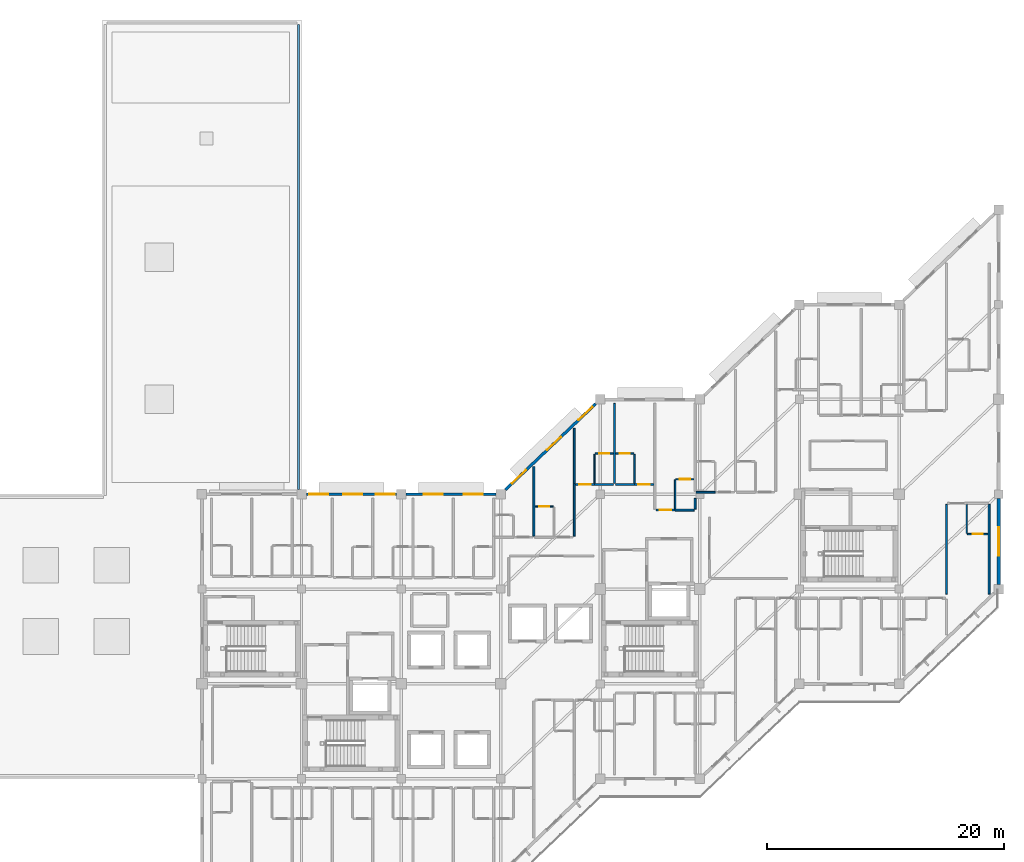
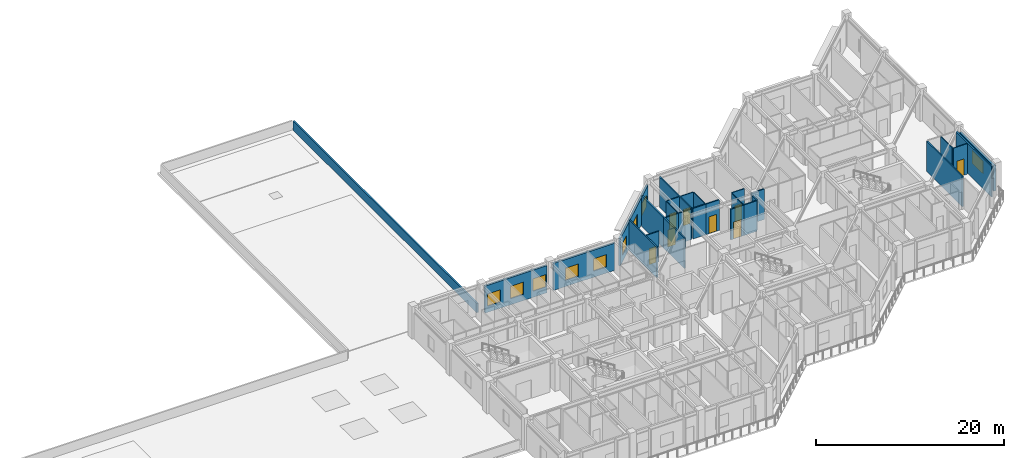
# One storey, part 14 of 22: 28 walls, 9 windows, 8 doors, 17 openings.
"""IFC4 building model written with IfcOpenShell, lengths in metres."""

from ifc_helpers import new_model, si_unit, direction, frame, frame_2d, origin, place, context, subcontext, project, spatial, rectangle, extrude, material, layer, layer_set, type_object, element, fill, save


model = new_model("IFC4")

# Units and contexts
model_context = context("Model", 3, precision=1e-05, world=origin(), true_north=direction((0.0, 1.0)))
body_context = subcontext(model_context, "Body", "Model", "MODEL_VIEW")
ifc_project = project(units=[si_unit("LENGTHUNIT", "METRE"), si_unit("AREAUNIT", "SQUARE_METRE"), si_unit("VOLUMEUNIT", "CUBIC_METRE"), si_unit("PLANEANGLEUNIT", "RADIAN"), si_unit("MASSUNIT", "GRAM", prefix="KILO")], contexts=[model_context])

# Site, building, storey
site_placement = place(None, origin())
site = spatial("IfcSite", under=ifc_project, at=site_placement, CompositionType="ELEMENT")
building_placement = place(site_placement, origin())
building = spatial("IfcBuilding", under=site, at=building_placement, Name="Naruveol Harbour Congress Hotel", CompositionType="ELEMENT")
storey_placement = place(building_placement, frame((0.0, 0.0, 21.0)))
storey = spatial("IfcBuildingStorey", under=building, at=storey_placement, Name="L04", CompositionType="ELEMENT", Elevation=21.0)

# Wall, opening, window
ifc_material_1 = material(Name="Precast concrete C40/50", Category="concrete")
ifc_layer_1 = layer(ifc_material_1, 0.280029296875)
ifc_layer_set_1 = layer_set([ifc_layer_1], Name="Precast concrete C40/50")
wall_type_1 = type_object("IfcWallType", Name="ARCHITECTURAL PRECAST FACADE WALL 280", PredefinedType="SOLIDWALL", material=ifc_layer_set_1)
wall_1_placement = place(storey_placement, frame((184.800048828125, 31.64990234375, 0.0), z_axis=(0.0, 0.0, 1.0), x_axis=(0.0, -1.0, 0.0)))
wall_1 = element("IfcWall", 1, at=wall_1_placement, inside=storey, type_object=wall_type_1, Name="Hotel east gable wall L04 EW-280", PredefinedType="SOLIDWALL", context=body_context, shape_type="SweptSolid", body=[
    extrude(rectangle(XDim=7.25, YDim=0.280029296875, at=frame_2d((3.625, 0.0))), origin(), (0.0, 0.0, 1.0), 3.300048828125),
])
opening_1_placement = place(wall_1_placement, frame((2.425048828125, 0.0, 0.75)))
opening_1 = element("IfcOpeningElement", 2, at=opening_1_placement, cuts=wall_1, Name="Opening W-07", PredefinedType="OPENING", context=body_context, shape_type="SweptSolid", body=[
    extrude(rectangle(XDim=2.39990234375, YDim=1.64990234375, at=frame_2d((1.199951171875, 0.824951171875))), frame((0.0, 0.14990234375, 0.0), z_axis=(0.0, -1.0, 0.0), x_axis=(1.0, 0.0, 0.0)), (0.0, 0.0, 1.0), 0.300048828125),
])
ifc_material_2 = material(Name="Low-E Triple Glazing in Thermal Aluminium", Category="aluminium")
window_type_1 = type_object("IfcWindowType", Name="CORNER SUITE WINDOW 2400X1650", PartitioningType="DOUBLE_PANEL_VERTICAL", PredefinedType="WINDOW", material=ifc_material_2)
window_1_placement = place(opening_1_placement, origin())
window_1 = element("IfcWindow", 3, at=window_1_placement, inside=storey, type_object=window_type_1, Name="Window W-07 #303", OverallHeight=1.64990234375, OverallWidth=2.39990234375, PartitioningType="DOUBLE_PANEL_VERTICAL", PredefinedType="WINDOW", context=body_context, shape_type="SweptSolid", body=[
    extrude(rectangle(XDim=2.39990234375, YDim=1.64990234375, at=frame_2d((1.199951171875, 0.824951171875))), frame((0.0, 0.030029296875, 0.0), z_axis=(0.0, -1.0, 0.0), x_axis=(1.0, 0.0, 0.0)), (0.0, 0.0, 1.0), 0.06005859375),
])
fill(opening_1, window_1)

# Wall, opening, door
ifc_material_3 = material(Name="Moisture-Resistant Gypsum Partition", Category="gypsum")
ifc_layer_2 = layer(ifc_material_3, 0.114990234375)
ifc_layer_set_2 = layer_set([ifc_layer_2], Name="Moisture-Resistant Gypsum Partition")
wall_type_2 = type_object("IfcWallType", Name="BATHROOM MOISTURE PARTITION WALL 115", PredefinedType="PARTITIONING", material=ifc_layer_set_2)
wall_2_placement = place(storey_placement, frame((145.699951171875, 30.969970703125, 0.0), z_axis=(0.0, 0.0, 1.0), x_axis=(1.0, 0.0, 0.0)))
wall_2 = element("IfcWall", 4, at=wall_2_placement, inside=storey, type_object=wall_type_2, Name="Bathroom north wall 0504 PW-115", PredefinedType="PARTITIONING", context=body_context, shape_type="SweptSolid", body=[
    extrude(rectangle(XDim=1.530029296875, YDim=0.114990234375, at=frame_2d((0.76513671875, 0.0))), origin(), (0.0, 0.0, 1.0), 3.965087890625),
])
opening_2_placement = place(wall_2_placement, frame((0.3349609375, 0.0, 0.0)))
opening_2 = element("IfcOpeningElement", 5, at=opening_2_placement, cuts=wall_2, Name="Opening BD-RM0504", PredefinedType="OPENING", context=body_context, shape_type="SweptSolid", body=[
    extrude(rectangle(XDim=0.860107421875, YDim=2.1201171875, at=frame_2d((0.43017578125, 1.06005859375))), frame((0.0, 0.0673828125, 0.0), z_axis=(0.0, -1.0, 0.0), x_axis=(1.0, 0.0, 0.0)), (0.0, 0.0, 1.0), 0.135009765625),
])
ifc_material_4 = material(Name="Timber & Steel Acoustic Leaf", Category="steel")
door_type_1 = type_object("IfcDoorType", Name="GUEST BATHROOM DOOR 860X2120", OperationType="NOTDEFINED", PredefinedType="DOOR", material=ifc_material_4)
door_1_placement = place(opening_2_placement, origin())
door_1 = element("IfcDoor", 6, at=door_1_placement, inside=storey, type_object=door_type_1, Name="Bathroom Door 0504", OperationType="SINGLE_SWING_RIGHT", OverallHeight=2.1201171875, OverallWidth=0.860107421875, PredefinedType="DOOR", context=body_context, shape_type="SweptSolid", body=[
    extrude(rectangle(XDim=0.860107421875, YDim=2.1201171875, at=frame_2d((0.43017578125, 1.06005859375))), frame((0.0, 0.02490234375, 0.0), z_axis=(0.0, -1.0, 0.0), x_axis=(1.0, 0.0, 0.0)), (0.0, 0.0, 1.0), 0.050048828125),
])
fill(opening_2, door_1)

# Wall
wall_3_placement = place(storey_placement, frame((150.7099609375, 32.909912109375, 0.0), z_axis=(0.0, 0.0, 1.0), x_axis=(0.0, 1.0, 0.0)))
element("IfcWall", 7, at=wall_3_placement, inside=storey, type_object=wall_type_2, Name="Bathroom west wall 0505 PW-115", PredefinedType="PARTITIONING", context=body_context, shape_type="SweptSolid", body=[
    extrude(rectangle(XDim=2.4501953125, YDim=0.114990234375, at=frame_2d((1.22509765625, 0.0))), origin(), (0.0, 0.0, 1.0), 3.965087890625),
])

# Wall, opening, door
wall_4_placement = place(storey_placement, frame((150.77001953125, 35.419921875, 0.0), z_axis=(0.0, 0.0, 1.0), x_axis=(1.0, 0.0, 0.0)))
wall_4 = element("IfcWall", 8, at=wall_4_placement, inside=storey, type_object=wall_type_2, Name="Bathroom north wall 0505 PW-115", PredefinedType="PARTITIONING", context=body_context, shape_type="SweptSolid", body=[
    extrude(rectangle(XDim=1.530029296875, YDim=0.114990234375, at=frame_2d((0.76513671875, 0.0))), origin(), (0.0, 0.0, 1.0), 3.965087890625),
])
opening_3_placement = place(wall_4_placement, frame((0.3349609375, 0.0, 0.0)))
opening_3 = element("IfcOpeningElement", 9, at=opening_3_placement, cuts=wall_4, Name="Opening BD-RM0505", PredefinedType="OPENING", context=body_context, shape_type="SweptSolid", body=[
    extrude(rectangle(XDim=0.860107421875, YDim=2.1201171875, at=frame_2d((0.43017578125, 1.06005859375))), frame((0.0, 0.0673828125, 0.0), z_axis=(0.0, -1.0, 0.0), x_axis=(1.0, 0.0, 0.0)), (0.0, 0.0, 1.0), 0.135009765625),
])
door_2_placement = place(opening_3_placement, origin())
door_2 = element("IfcDoor", 10, at=door_2_placement, inside=storey, type_object=door_type_1, Name="Bathroom Door 0505", OperationType="SINGLE_SWING_RIGHT", OverallHeight=2.1201171875, OverallWidth=0.860107421875, PredefinedType="DOOR", context=body_context, shape_type="SweptSolid", body=[
    extrude(rectangle(XDim=0.860107421875, YDim=2.1201171875, at=frame_2d((0.43017578125, 1.06005859375))), frame((0.0, 0.02490234375, 0.0), z_axis=(0.0, -1.0, 0.0), x_axis=(1.0, 0.0, 0.0)), (0.0, 0.0, 1.0), 0.050048828125),
])
fill(opening_3, door_2)

# Wall
wall_5_placement = place(storey_placement, frame((154.090087890625, 32.909912109375, 0.0), z_axis=(0.0, 0.0, 1.0), x_axis=(0.0, 1.0, 0.0)))
element("IfcWall", 11, at=wall_5_placement, inside=storey, type_object=wall_type_2, Name="Bathroom east wall 0506 PW-115", PredefinedType="PARTITIONING", context=body_context, shape_type="SweptSolid", body=[
    extrude(rectangle(XDim=2.4501953125, YDim=0.114990234375, at=frame_2d((1.22509765625, 0.0))), origin(), (0.0, 0.0, 1.0), 3.965087890625),
])

# Wall, opening, door
wall_6_placement = place(storey_placement, frame((152.5, 35.419921875, 0.0), z_axis=(0.0, 0.0, 1.0), x_axis=(1.0, 0.0, 0.0)))
wall_6 = element("IfcWall", 12, at=wall_6_placement, inside=storey, type_object=wall_type_2, Name="Bathroom north wall 0506 PW-115", PredefinedType="PARTITIONING", context=body_context, shape_type="SweptSolid", body=[
    extrude(rectangle(XDim=1.530029296875, YDim=0.114990234375, at=frame_2d((0.76513671875, 0.0))), origin(), (0.0, 0.0, 1.0), 3.965087890625),
])
opening_4_placement = place(wall_6_placement, frame((0.3349609375, 0.0, 0.0)))
opening_4 = element("IfcOpeningElement", 13, at=opening_4_placement, cuts=wall_6, Name="Opening BD-RM0506", PredefinedType="OPENING", context=body_context, shape_type="SweptSolid", body=[
    extrude(rectangle(XDim=0.860107421875, YDim=2.1201171875, at=frame_2d((0.43017578125, 1.06005859375))), frame((0.0, 0.0673828125, 0.0), z_axis=(0.0, -1.0, 0.0), x_axis=(1.0, 0.0, 0.0)), (0.0, 0.0, 1.0), 0.135009765625),
])
door_3_placement = place(opening_4_placement, origin())
door_3 = element("IfcDoor", 14, at=door_3_placement, inside=storey, type_object=door_type_1, Name="Bathroom Door 0506", OperationType="SINGLE_SWING_RIGHT", OverallHeight=2.1201171875, OverallWidth=0.860107421875, PredefinedType="DOOR", context=body_context, shape_type="SweptSolid", body=[
    extrude(rectangle(XDim=0.860107421875, YDim=2.1201171875, at=frame_2d((0.43017578125, 1.06005859375))), frame((0.0, 0.02490234375, 0.0), z_axis=(0.0, -1.0, 0.0), x_axis=(1.0, 0.0, 0.0)), (0.0, 0.0, 1.0), 0.050048828125),
])
fill(opening_4, door_3)

# Wall
wall_7_placement = place(storey_placement, frame((157.510009765625, 30.75, 0.0), z_axis=(0.0, 0.0, 1.0), x_axis=(0.0, 1.0, 0.0)))
element("IfcWall", 15, at=wall_7_placement, inside=storey, type_object=wall_type_2, Name="Bathroom west wall 0507 PW-115", PredefinedType="PARTITIONING", context=body_context, shape_type="SweptSolid", body=[
    extrude(rectangle(XDim=2.449951171875, YDim=0.114990234375, at=frame_2d((1.22509765625, 0.0))), origin(), (0.0, 0.0, 1.0), 3.965087890625),
])

# Wall, opening, door
wall_8_placement = place(storey_placement, frame((157.570068359375, 33.260009765625, 0.0), z_axis=(0.0, 0.0, 1.0), x_axis=(1.0, 0.0, 0.0)))
wall_8 = element("IfcWall", 16, at=wall_8_placement, inside=storey, type_object=wall_type_2, Name="Bathroom north wall 0507 PW-115", PredefinedType="PARTITIONING", context=body_context, shape_type="SweptSolid", body=[
    extrude(rectangle(XDim=1.530029296875, YDim=0.114990234375, at=frame_2d((0.76513671875, 0.0))), origin(), (0.0, 0.0, 1.0), 3.965087890625),
])
opening_5_placement = place(wall_8_placement, frame((0.3349609375, 0.0, 0.0)))
opening_5 = element("IfcOpeningElement", 17, at=opening_5_placement, cuts=wall_8, Name="Opening BD-RM0507", PredefinedType="OPENING", context=body_context, shape_type="SweptSolid", body=[
    extrude(rectangle(XDim=0.860107421875, YDim=2.1201171875, at=frame_2d((0.43017578125, 1.06005859375))), frame((0.0, 0.0673828125, 0.0), z_axis=(0.0, -1.0, 0.0), x_axis=(1.0, 0.0, 0.0)), (0.0, 0.0, 1.0), 0.135009765625),
])
door_4_placement = place(opening_5_placement, origin())
door_4 = element("IfcDoor", 18, at=door_4_placement, inside=storey, type_object=door_type_1, Name="Bathroom Door 0507", OperationType="SINGLE_SWING_RIGHT", OverallHeight=2.1201171875, OverallWidth=0.860107421875, PredefinedType="DOOR", context=body_context, shape_type="SweptSolid", body=[
    extrude(rectangle(XDim=0.860107421875, YDim=2.1201171875, at=frame_2d((0.43017578125, 1.06005859375))), frame((0.0, 0.02490234375, 0.0), z_axis=(0.0, -1.0, 0.0), x_axis=(1.0, 0.0, 0.0)), (0.0, 0.0, 1.0), 0.050048828125),
])
fill(opening_5, door_4)

# Wall
wall_9_placement = place(storey_placement, frame((182.110107421875, 28.68994140625, 0.0), z_axis=(0.0, 0.0, 1.0), x_axis=(0.0, 1.0, 0.0)))
element("IfcWall", 19, at=wall_9_placement, inside=storey, type_object=wall_type_2, Name="Bathroom west wall 0595 PW-115", PredefinedType="PARTITIONING", context=body_context, shape_type="SweptSolid", body=[
    extrude(rectangle(XDim=2.449951171875, YDim=0.114990234375, at=frame_2d((1.22509765625, 0.0))), origin(), (0.0, 0.0, 1.0), 3.965087890625),
])

# Wall, opening, door
wall_10_placement = place(storey_placement, frame((182.169921875, 28.6298828125, 0.0), z_axis=(0.0, 0.0, 1.0), x_axis=(1.0, 0.0, 0.0)))
wall_10 = element("IfcWall", 20, at=wall_10_placement, inside=storey, type_object=wall_type_2, Name="Bathroom south wall 0595 PW-115", PredefinedType="PARTITIONING", context=body_context, shape_type="SweptSolid", body=[
    extrude(rectangle(XDim=1.72998046875, YDim=0.114990234375, at=frame_2d((0.864990234375, 0.0))), origin(), (0.0, 0.0, 1.0), 3.965087890625),
])
opening_6_placement = place(wall_10_placement, frame((0.43505859375, 0.0, 0.0)))
opening_6 = element("IfcOpeningElement", 21, at=opening_6_placement, cuts=wall_10, Name="Opening BD-RM0595", PredefinedType="OPENING", context=body_context, shape_type="SweptSolid", body=[
    extrude(rectangle(XDim=0.860107421875, YDim=2.1201171875, at=frame_2d((0.43017578125, 1.06005859375))), frame((0.0, 0.0673828125, 0.0), z_axis=(0.0, -1.0, 0.0), x_axis=(1.0, 0.0, 0.0)), (0.0, 0.0, 1.0), 0.135009765625),
])
door_5_placement = place(opening_6_placement, origin())
door_5 = element("IfcDoor", 22, at=door_5_placement, inside=storey, type_object=door_type_1, Name="Bathroom Door 0595", OperationType="SINGLE_SWING_RIGHT", OverallHeight=2.1201171875, OverallWidth=0.860107421875, PredefinedType="DOOR", context=body_context, shape_type="SweptSolid", body=[
    extrude(rectangle(XDim=0.860107421875, YDim=2.1201171875, at=frame_2d((0.43017578125, 1.06005859375))), frame((0.0, 0.02490234375, 0.0), z_axis=(0.0, -1.0, 0.0), x_axis=(1.0, 0.0, 0.0)), (0.0, 0.0, 1.0), 0.050048828125),
])
fill(opening_6, door_5)

# Walls
ifc_material_5 = material(Name="Autoclaved Aerated Concrete Block", Category="concrete")
ifc_layer_3 = layer(ifc_material_5, 0.159912109375)
ifc_layer_set_3 = layer_set([ifc_layer_3], Name="Autoclaved Aerated Concrete Block")
wall_type_3 = type_object("IfcWallType", Name="HOTEL PARTY AND CORRIDOR WALL 160 EI60", PredefinedType="PARTITIONING", material=ifc_layer_set_3)
wall_11_placement = place(storey_placement, frame((145.60009765625, 28.4599609375, 0.0), z_axis=(0.0, 0.0, 1.0), x_axis=(0.0, 1.0, 0.0)))
element("IfcWall", 23, at=wall_11_placement, inside=storey, type_object=wall_type_3, Name="Hotel party wall 0504 PW-160", PredefinedType="PARTITIONING", context=body_context, shape_type="SweptSolid", body=[
    extrude(rectangle(XDim=5.8701171875, YDim=0.159912109375, at=frame_2d((2.93505859375, 0.0))), origin(), (0.0, 0.0, 1.0), 3.965087890625),
])
wall_12_placement = place(storey_placement, frame((149.0, 28.4599609375, 0.0), z_axis=(0.0, 0.0, 1.0), x_axis=(0.0, 1.0, 0.0)))
element("IfcWall", 24, at=wall_12_placement, inside=storey, type_object=wall_type_3, Name="Hotel end party wall 0504 PW-160", PredefinedType="PARTITIONING", context=body_context, shape_type="SweptSolid", body=[
    extrude(rectangle(XDim=4.43994140625, YDim=0.159912109375, at=frame_2d((2.219970703125, 0.0))), origin(), (0.0, 0.0, 1.0), 3.965087890625),
])

# Wall, opening, door
wall_13_placement = place(storey_placement, frame((149.090087890625, 32.820068359375, 0.0), z_axis=(0.0, 0.0, 1.0), x_axis=(1.0, 0.0, 0.0)))
wall_13 = element("IfcWall", 25, at=wall_13_placement, inside=storey, type_object=wall_type_3, Name="Corridor entry wall 0505 PW-160", PredefinedType="PARTITIONING", context=body_context, shape_type="SweptSolid", body=[
    extrude(rectangle(XDim=1.619873046875, YDim=0.159912109375, at=frame_2d((0.81005859375, 0.0))), origin(), (0.0, 0.0, 1.0), 3.965087890625),
])
opening_7_placement = place(wall_13_placement, frame((0.330078125, 0.0, 0.0)))
opening_7 = element("IfcOpeningElement", 26, at=opening_7_placement, cuts=wall_13, Name="Opening FD-RM0505", PredefinedType="OPENING", context=body_context, shape_type="SweptSolid", body=[
    extrude(rectangle(XDim=0.9599609375, YDim=2.199951171875, at=frame_2d((0.47998046875, 1.10009765625))), frame((0.0, 0.08984375, 0.0), z_axis=(0.0, -1.0, 0.0), x_axis=(1.0, 0.0, 0.0)), (0.0, 0.0, 1.0), 0.179931640625),
])
ifc_material_6 = material(Name="Timber & Steel Acoustic Leaf", Category="steel")
door_type_2 = type_object("IfcDoorType", Name="GUEST ROOM ENTRANCE FIRE DOOR 960X2200", OperationType="NOTDEFINED", PredefinedType="DOOR", material=ifc_material_6)
door_6_placement = place(opening_7_placement, origin())
door_6 = element("IfcDoor", 27, at=door_6_placement, inside=storey, type_object=door_type_2, Name="Hotel Room Door 0505", OperationType="SINGLE_SWING_LEFT", OverallHeight=2.199951171875, OverallWidth=0.9599609375, PredefinedType="DOOR", context=body_context, shape_type="SweptSolid", body=[
    extrude(rectangle(XDim=0.9599609375, YDim=2.199951171875, at=frame_2d((0.47998046875, 1.10009765625))), frame((0.0, 0.02490234375, 0.0), z_axis=(0.0, -1.0, 0.0), x_axis=(1.0, 0.0, 0.0)), (0.0, 0.0, 1.0), 0.050048828125),
])
fill(opening_7, door_6)

# Walls
wall_14_placement = place(storey_placement, frame((150.719970703125, 32.820068359375, 0.0), z_axis=(0.0, 0.0, 1.0), x_axis=(1.0, 0.0, 0.0)))
element("IfcWall", 28, at=wall_14_placement, inside=storey, type_object=wall_type_3, Name="Corridor wall 0505B PW-160", PredefinedType="PARTITIONING", context=body_context, shape_type="SweptSolid", body=[
    extrude(rectangle(XDim=1.590087890625, YDim=0.159912109375, at=frame_2d((0.794921875, 0.0))), origin(), (0.0, 0.0, 1.0), 3.965087890625),
])
wall_15_placement = place(storey_placement, frame((149.0, 32.909912109375, 0.0), z_axis=(0.0, 0.0, 1.0), x_axis=(0.0, 1.0, 0.0)))
element("IfcWall", 29, at=wall_15_placement, inside=storey, type_object=wall_type_3, Name="Hotel party wall 0505 PW-160", PredefinedType="PARTITIONING", context=body_context, shape_type="SweptSolid", body=[
    extrude(rectangle(XDim=4.650146484375, YDim=0.159912109375, at=frame_2d((2.3251953125, 0.0))), origin(), (0.0, 0.0, 1.0), 3.965087890625),
])
wall_16_placement = place(storey_placement, frame((152.489990234375, 32.820068359375, 0.0), z_axis=(0.0, 0.0, 1.0), x_axis=(1.0, 0.0, 0.0)))
element("IfcWall", 30, at=wall_16_placement, inside=storey, type_object=wall_type_3, Name="Corridor wall 0506B PW-160", PredefinedType="PARTITIONING", context=body_context, shape_type="SweptSolid", body=[
    extrude(rectangle(XDim=1.590087890625, YDim=0.159912109375, at=frame_2d((0.794921875, 0.0))), origin(), (0.0, 0.0, 1.0), 3.965087890625),
])

# Wall, opening, door
wall_17_placement = place(storey_placement, frame((154.090087890625, 32.820068359375, 0.0), z_axis=(0.0, 0.0, 1.0), x_axis=(1.0, 0.0, 0.0)))
wall_17 = element("IfcWall", 31, at=wall_17_placement, inside=storey, type_object=wall_type_3, Name="Corridor entry wall 0506 PW-160", PredefinedType="PARTITIONING", context=body_context, shape_type="SweptSolid", body=[
    extrude(rectangle(XDim=1.619873046875, YDim=0.159912109375, at=frame_2d((0.81005859375, 0.0))), origin(), (0.0, 0.0, 1.0), 3.965087890625),
])
opening_8_placement = place(wall_17_placement, frame((0.330078125, 0.0, 0.0)))
opening_8 = element("IfcOpeningElement", 32, at=opening_8_placement, cuts=wall_17, Name="Opening FD-RM0506", PredefinedType="OPENING", context=body_context, shape_type="SweptSolid", body=[
    extrude(rectangle(XDim=0.9599609375, YDim=2.199951171875, at=frame_2d((0.47998046875, 1.10009765625))), frame((0.0, 0.08984375, 0.0), z_axis=(0.0, -1.0, 0.0), x_axis=(1.0, 0.0, 0.0)), (0.0, 0.0, 1.0), 0.179931640625),
])
door_7_placement = place(opening_8_placement, origin())
door_7 = element("IfcDoor", 33, at=door_7_placement, inside=storey, type_object=door_type_2, Name="Hotel Room Door 0506", OperationType="SINGLE_SWING_LEFT", OverallHeight=2.199951171875, OverallWidth=0.9599609375, PredefinedType="DOOR", context=body_context, shape_type="SweptSolid", body=[
    extrude(rectangle(XDim=0.9599609375, YDim=2.199951171875, at=frame_2d((0.47998046875, 1.10009765625))), frame((0.0, 0.02490234375, 0.0), z_axis=(0.0, -1.0, 0.0), x_axis=(1.0, 0.0, 0.0)), (0.0, 0.0, 1.0), 0.050048828125),
])
fill(opening_8, door_7)

# Wall
wall_18_placement = place(storey_placement, frame((152.39990234375, 32.909912109375, 0.0), z_axis=(0.0, 0.0, 1.0), x_axis=(0.0, 1.0, 0.0)))
element("IfcWall", 34, at=wall_18_placement, inside=storey, type_object=wall_type_3, Name="Hotel party wall 0506 PW-160", PredefinedType="PARTITIONING", context=body_context, shape_type="SweptSolid", body=[
    extrude(rectangle(XDim=6.75, YDim=0.159912109375, at=frame_2d((3.375, 0.0))), origin(), (0.0, 0.0, 1.0), 3.965087890625),
])

# Wall, opening, door
wall_19_placement = place(storey_placement, frame((155.889892578125, 30.659912109375, 0.0), z_axis=(0.0, 0.0, 1.0), x_axis=(1.0, 0.0, 0.0)))
wall_19 = element("IfcWall", 35, at=wall_19_placement, inside=storey, type_object=wall_type_3, Name="Corridor entry wall 0507 PW-160", PredefinedType="PARTITIONING", context=body_context, shape_type="SweptSolid", body=[
    extrude(rectangle(XDim=1.6201171875, YDim=0.159912109375, at=frame_2d((0.81005859375, 0.0))), origin(), (0.0, 0.0, 1.0), 3.965087890625),
])
opening_9_placement = place(wall_19_placement, frame((0.330078125, 0.0, 0.0)))
opening_9 = element("IfcOpeningElement", 36, at=opening_9_placement, cuts=wall_19, Name="Opening FD-RM0507", PredefinedType="OPENING", context=body_context, shape_type="SweptSolid", body=[
    extrude(rectangle(XDim=0.9599609375, YDim=2.199951171875, at=frame_2d((0.47998046875, 1.10009765625))), frame((0.0, 0.08984375, 0.0), z_axis=(0.0, -1.0, 0.0), x_axis=(1.0, 0.0, 0.0)), (0.0, 0.0, 1.0), 0.179931640625),
])
door_8_placement = place(opening_9_placement, origin())
door_8 = element("IfcDoor", 37, at=door_8_placement, inside=storey, type_object=door_type_2, Name="Hotel Room Door 0507", OperationType="SINGLE_SWING_LEFT", OverallHeight=2.199951171875, OverallWidth=0.9599609375, PredefinedType="DOOR", context=body_context, shape_type="SweptSolid", body=[
    extrude(rectangle(XDim=0.9599609375, YDim=2.199951171875, at=frame_2d((0.47998046875, 1.10009765625))), frame((0.0, 0.02490234375, 0.0), z_axis=(0.0, -1.0, 0.0), x_axis=(1.0, 0.0, 0.0)), (0.0, 0.0, 1.0), 0.050048828125),
])
fill(opening_9, door_8)

# Walls
wall_20_placement = place(storey_placement, frame((157.52001953125, 30.659912109375, 0.0), z_axis=(0.0, 0.0, 1.0), x_axis=(1.0, 0.0, 0.0)))
element("IfcWall", 38, at=wall_20_placement, inside=storey, type_object=wall_type_3, Name="Corridor wall 0507B PW-160", PredefinedType="PARTITIONING", context=body_context, shape_type="SweptSolid", body=[
    extrude(rectangle(XDim=1.590087890625, YDim=0.159912109375, at=frame_2d((0.794921875, 0.0))), origin(), (0.0, 0.0, 1.0), 3.965087890625),
])
wall_21_placement = place(storey_placement, frame((159.199951171875, 30.75, 0.0), z_axis=(0.0, 0.0, 1.0), x_axis=(0.0, 1.0, 0.0)))
element("IfcWall", 39, at=wall_21_placement, inside=storey, type_object=wall_type_3, Name="Hotel end party wall 0507 PW-160", PredefinedType="PARTITIONING", context=body_context, shape_type="SweptSolid", body=[
    extrude(rectangle(XDim=0.889892578125, YDim=0.159912109375, at=frame_2d((0.44482421875, 0.0))), origin(), (0.0, 0.0, 1.0), 3.965087890625),
])
wall_22_placement = place(storey_placement, frame((159.2900390625, 32.169921875, 0.0), z_axis=(0.0, 0.0, 1.0), x_axis=(1.0, 0.0, 0.0)))
element("IfcWall", 40, at=wall_22_placement, inside=storey, type_object=wall_type_3, Name="Corridor wall 0508B PW-160", PredefinedType="PARTITIONING", context=body_context, shape_type="SweptSolid", body=[
    extrude(rectangle(XDim=1.58984375, YDim=0.159912109375, at=frame_2d((0.794921875, 0.0))), origin(), (0.0, 0.0, 1.0), 3.965087890625),
])
for number, where, z_axis, x_axis, name in (
    (41, (180.39990234375, 23.580078125, 0.0), (0.0, 0.0, 1.0), (0.0, 1.0, 0.0), "Hotel party wall 0595 PW-160"),
    (42, (184.0, 23.580078125, 0.0), (0.0, 0.0, 1.0), (0.0, 1.0, 0.0), "Hotel end party wall 0595 PW-160"),
):
    element("IfcWall", number, at=place(storey_placement, frame(where, z_axis=z_axis, x_axis=x_axis)), inside=storey, type_object=wall_type_3, Name=name, PredefinedType="PARTITIONING", context=body_context, shape_type="SweptSolid", body=[
        extrude(rectangle(XDim=7.559814453125, YDim=0.159912109375, at=frame_2d((3.77978515625, 0.0))), origin(), (0.0, 0.0, 1.0), 3.965087890625),
    ])

# Wall, openings, windows
ifc_material_7 = material(Name="Concrete C40/50", Category="concrete")
ifc_layer_4 = layer(ifc_material_7, 0.239990234375)
ifc_layer_set_4 = layer_set([ifc_layer_4], Name="Concrete C40/50")
wall_type_4 = type_object("IfcWallType", Name="INSULATED HOTEL SPANDREL WALL 240", PredefinedType="SOLIDWALL", material=ifc_layer_set_4)
wall_23_placement = place(storey_placement, frame((126.39990234375, 32.0, 0.0), z_axis=(0.0, 0.0, 1.0), x_axis=(1.0, 0.0, 0.0)))
wall_23 = element("IfcWall", 43, at=wall_23_placement, inside=storey, type_object=wall_type_4, Name="Hotel north bay wall L04 EW-240", PredefinedType="SOLIDWALL", context=body_context, shape_type="SweptSolid", body=[
    extrude(rectangle(XDim=7.60009765625, YDim=0.239990234375, at=frame_2d((3.800048828125, 0.0))), origin(), (0.0, 0.0, 1.0), 3.530029296875),
])
opening_10_placement = place(wall_23_placement, frame((0.25, 0.0, 0.800048828125)))
opening_10 = element("IfcOpeningElement", 44, at=opening_10_placement, cuts=wall_23, Name="Opening W-03", PredefinedType="OPENING", context=body_context, shape_type="SweptSolid", body=[
    extrude(rectangle(XDim=1.60009765625, YDim=1.60009765625, at=frame_2d((0.800048828125, 0.800048828125))), frame((0.0, 0.1298828125, 0.0), z_axis=(0.0, -1.0, 0.0), x_axis=(1.0, 0.0, 0.0)), (0.0, 0.0, 1.0), 0.260009765625),
])
opening_11_placement = place(wall_23_placement, frame((3.10009765625, 0.0, 0.800048828125)))
opening_11 = element("IfcOpeningElement", 45, at=opening_11_placement, cuts=wall_23, Name="Opening W-03", PredefinedType="OPENING", context=body_context, shape_type="SweptSolid", body=[
    extrude(rectangle(XDim=1.60009765625, YDim=1.60009765625, at=frame_2d((0.800048828125, 0.800048828125))), frame((0.0, 0.1298828125, 0.0), z_axis=(0.0, -1.0, 0.0), x_axis=(1.0, 0.0, 0.0)), (0.0, 0.0, 1.0), 0.260009765625),
])
opening_12_placement = place(wall_23_placement, frame((5.85009765625, 0.0, 0.800048828125)))
opening_12 = element("IfcOpeningElement", 46, at=opening_12_placement, cuts=wall_23, Name="Opening W-03", PredefinedType="OPENING", context=body_context, shape_type="SweptSolid", body=[
    extrude(rectangle(XDim=1.60009765625, YDim=1.60009765625, at=frame_2d((0.800048828125, 0.800048828125))), frame((0.0, 0.1298828125, 0.0), z_axis=(0.0, -1.0, 0.0), x_axis=(1.0, 0.0, 0.0)), (0.0, 0.0, 1.0), 0.260009765625),
])
ifc_material_8 = material(Name="Low-E Triple Glazing in Thermal Aluminium", Category="aluminium")
window_type_2 = type_object("IfcWindowType", Name="DELUXE GUEST WINDOW 1600X1600", PartitioningType="SINGLE_PANEL", PredefinedType="WINDOW", material=ifc_material_8)
window_2_placement = place(opening_10_placement, origin())
window_2 = element("IfcWindow", 47, at=window_2_placement, inside=storey, type_object=window_type_2, Name="Window W-03 #275", OverallHeight=1.60009765625, OverallWidth=1.60009765625, PartitioningType="SINGLE_PANEL", PredefinedType="WINDOW", context=body_context, shape_type="SweptSolid", body=[
    extrude(rectangle(XDim=1.60009765625, YDim=1.60009765625, at=frame_2d((0.800048828125, 0.800048828125))), frame((0.0, 0.030029296875, 0.0), z_axis=(0.0, -1.0, 0.0), x_axis=(1.0, 0.0, 0.0)), (0.0, 0.0, 1.0), 0.06005859375),
])
fill(opening_10, window_2)
window_3_placement = place(opening_11_placement, origin())
window_3 = element("IfcWindow", 48, at=window_3_placement, inside=storey, type_object=window_type_2, Name="Window W-03 #276", OverallHeight=1.60009765625, OverallWidth=1.60009765625, PartitioningType="SINGLE_PANEL", PredefinedType="WINDOW", context=body_context, shape_type="SweptSolid", body=[
    extrude(rectangle(XDim=1.60009765625, YDim=1.60009765625, at=frame_2d((0.800048828125, 0.800048828125))), frame((0.0, 0.030029296875, 0.0), z_axis=(0.0, -1.0, 0.0), x_axis=(1.0, 0.0, 0.0)), (0.0, 0.0, 1.0), 0.06005859375),
])
fill(opening_11, window_3)
window_4_placement = place(opening_12_placement, origin())
window_4 = element("IfcWindow", 49, at=window_4_placement, inside=storey, type_object=window_type_2, Name="Window W-03 #277", OverallHeight=1.60009765625, OverallWidth=1.60009765625, PartitioningType="SINGLE_PANEL", PredefinedType="WINDOW", context=body_context, shape_type="SweptSolid", body=[
    extrude(rectangle(XDim=1.60009765625, YDim=1.60009765625, at=frame_2d((0.800048828125, 0.800048828125))), frame((0.0, 0.030029296875, 0.0), z_axis=(0.0, -1.0, 0.0), x_axis=(1.0, 0.0, 0.0)), (0.0, 0.0, 1.0), 0.06005859375),
])
fill(opening_12, window_4)

wall_24_placement = place(storey_placement, frame((134.800048828125, 32.0, 0.0), z_axis=(0.0, 0.0, 1.0), x_axis=(1.0, 0.0, 0.0)))
wall_24 = element("IfcWall", 50, at=wall_24_placement, inside=storey, type_object=wall_type_4, Name="Hotel north bay wall L04 EW-240", PredefinedType="SOLIDWALL", context=body_context, shape_type="SweptSolid", body=[
    extrude(rectangle(XDim=7.599853515625, YDim=0.239990234375, at=frame_2d((3.7998046875, 0.0))), origin(), (0.0, 0.0, 1.0), 3.530029296875),
])
opening_13_placement = place(wall_24_placement, frame((1.5, 0.0, 0.800048828125)))
opening_13 = element("IfcOpeningElement", 51, at=opening_13_placement, cuts=wall_24, Name="Opening W-03", PredefinedType="OPENING", context=body_context, shape_type="SweptSolid", body=[
    extrude(rectangle(XDim=1.60009765625, YDim=1.60009765625, at=frame_2d((0.800048828125, 0.800048828125))), frame((0.0, 0.1298828125, 0.0), z_axis=(0.0, -1.0, 0.0), x_axis=(1.0, 0.0, 0.0)), (0.0, 0.0, 1.0), 0.260009765625),
])
opening_14_placement = place(wall_24_placement, frame((4.89990234375, 0.0, 0.800048828125)))
opening_14 = element("IfcOpeningElement", 52, at=opening_14_placement, cuts=wall_24, Name="Opening W-03", PredefinedType="OPENING", context=body_context, shape_type="SweptSolid", body=[
    extrude(rectangle(XDim=1.60009765625, YDim=1.60009765625, at=frame_2d((0.800048828125, 0.800048828125))), frame((0.0, 0.1298828125, 0.0), z_axis=(0.0, -1.0, 0.0), x_axis=(1.0, 0.0, 0.0)), (0.0, 0.0, 1.0), 0.260009765625),
])
window_5_placement = place(opening_13_placement, origin())
window_5 = element("IfcWindow", 53, at=window_5_placement, inside=storey, type_object=window_type_2, Name="Window W-03 #279", OverallHeight=1.60009765625, OverallWidth=1.60009765625, PartitioningType="SINGLE_PANEL", PredefinedType="WINDOW", context=body_context, shape_type="SweptSolid", body=[
    extrude(rectangle(XDim=1.60009765625, YDim=1.60009765625, at=frame_2d((0.800048828125, 0.800048828125))), frame((0.0, 0.030029296875, 0.0), z_axis=(0.0, -1.0, 0.0), x_axis=(1.0, 0.0, 0.0)), (0.0, 0.0, 1.0), 0.06005859375),
])
fill(opening_13, window_5)
window_6_placement = place(opening_14_placement, origin())
window_6 = element("IfcWindow", 54, at=window_6_placement, inside=storey, type_object=window_type_2, Name="Window W-03 #280", OverallHeight=1.60009765625, OverallWidth=1.60009765625, PartitioningType="SINGLE_PANEL", PredefinedType="WINDOW", context=body_context, shape_type="SweptSolid", body=[
    extrude(rectangle(XDim=1.60009765625, YDim=1.60009765625, at=frame_2d((0.800048828125, 0.800048828125))), frame((0.0, 0.030029296875, 0.0), z_axis=(0.0, -1.0, 0.0), x_axis=(1.0, 0.0, 0.0)), (0.0, 0.0, 1.0), 0.06005859375),
])
fill(opening_14, window_6)

wall_25_placement = place(storey_placement, frame((143.199951171875, 32.381103515625, 0.0), z_axis=(0.0, 0.0, 1.0), x_axis=(0.724156739794, 0.689635422677, 0.0)))
wall_25 = element("IfcWall", 55, at=wall_25_placement, inside=storey, type_object=wall_type_4, Name="Hotel north bay wall L04 EW-240", PredefinedType="SOLIDWALL", context=body_context, shape_type="SweptSolid", body=[
    extrude(rectangle(XDim=10.4951171875, YDim=0.239990234375, at=frame_2d((5.24755859375, 0.0))), origin(), (0.0, 0.0, 1.0), 3.530029296875),
])
opening_15_placement = place(wall_25_placement, frame((0.7880859375, 0.0, 0.800048828125)))
opening_15 = element("IfcOpeningElement", 56, at=opening_15_placement, cuts=wall_25, Name="Opening W-03", PredefinedType="OPENING", context=body_context, shape_type="SweptSolid", body=[
    extrude(rectangle(XDim=1.60009765625, YDim=1.60009765625, at=frame_2d((0.800048828125, 0.800048828125))), frame((0.0, 0.1298828125, 0.0), z_axis=(0.0, -1.0, 0.0), x_axis=(1.0, 0.0, 0.0)), (0.0, 0.0, 1.0), 0.260009765625),
])
opening_16_placement = place(wall_25_placement, frame((4.862060546875, 0.0, 0.800048828125)))
opening_16 = element("IfcOpeningElement", 57, at=opening_16_placement, cuts=wall_25, Name="Opening W-03", PredefinedType="OPENING", context=body_context, shape_type="SweptSolid", body=[
    extrude(rectangle(XDim=1.60009765625, YDim=1.60009765625, at=frame_2d((0.800048828125, 0.800048828125))), frame((0.0, 0.1298828125, 0.0), z_axis=(0.0, -1.0, 0.0), x_axis=(1.0, 0.0, 0.0)), (0.0, 0.0, 1.0), 0.260009765625),
])
opening_17_placement = place(wall_25_placement, frame((8.52099609375, 0.0, 0.800048828125)))
opening_17 = element("IfcOpeningElement", 58, at=opening_17_placement, cuts=wall_25, Name="Opening W-03", PredefinedType="OPENING", context=body_context, shape_type="SweptSolid", body=[
    extrude(rectangle(XDim=1.60009765625, YDim=1.60009765625, at=frame_2d((0.800048828125, 0.800048828125))), frame((0.0, 0.1298828125, 0.0), z_axis=(0.0, -1.0, 0.0), x_axis=(1.0, 0.0, 0.0)), (0.0, 0.0, 1.0), 0.260009765625),
])
window_7_placement = place(opening_15_placement, origin())
window_7 = element("IfcWindow", 59, at=window_7_placement, inside=storey, type_object=window_type_2, Name="Window W-03 #283", OverallHeight=1.60009765625, OverallWidth=1.60009765625, PartitioningType="SINGLE_PANEL", PredefinedType="WINDOW", context=body_context, shape_type="SweptSolid", body=[
    extrude(rectangle(XDim=1.60009765625, YDim=1.60009765625, at=frame_2d((0.800048828125, 0.800048828125))), frame((0.0, 0.030029296875, 0.0), z_axis=(0.0, -1.0, 0.0), x_axis=(1.0, 0.0, 0.0)), (0.0, 0.0, 1.0), 0.06005859375),
])
fill(opening_15, window_7)
window_8_placement = place(opening_16_placement, origin())
window_8 = element("IfcWindow", 60, at=window_8_placement, inside=storey, type_object=window_type_2, Name="Window W-03 #284", OverallHeight=1.60009765625, OverallWidth=1.60009765625, PartitioningType="SINGLE_PANEL", PredefinedType="WINDOW", context=body_context, shape_type="SweptSolid", body=[
    extrude(rectangle(XDim=1.60009765625, YDim=1.60009765625, at=frame_2d((0.800048828125, 0.800048828125))), frame((0.0, 0.030029296875, 0.0), z_axis=(0.0, -1.0, 0.0), x_axis=(1.0, 0.0, 0.0)), (0.0, 0.0, 1.0), 0.06005859375),
])
fill(opening_16, window_8)
window_9_placement = place(opening_17_placement, origin())
window_9 = element("IfcWindow", 61, at=window_9_placement, inside=storey, type_object=window_type_2, Name="Window W-03 #285", OverallHeight=1.60009765625, OverallWidth=1.60009765625, PartitioningType="SINGLE_PANEL", PredefinedType="WINDOW", context=body_context, shape_type="SweptSolid", body=[
    extrude(rectangle(XDim=1.60009765625, YDim=1.60009765625, at=frame_2d((0.800048828125, 0.800048828125))), frame((0.0, 0.030029296875, 0.0), z_axis=(0.0, -1.0, 0.0), x_axis=(1.0, 0.0, 0.0)), (0.0, 0.0, 1.0), 0.06005859375),
])
fill(opening_17, window_9)

# Wall
ifc_material_9 = material(Name="Concrete C40/50", Category="concrete")
ifc_layer_5 = layer(ifc_material_9, 0.18994140625)
ifc_layer_set_5 = layer_set([ifc_layer_5], Name="Concrete C40/50")
wall_type_5 = type_object("IfcWallType", Name="RC ROOF PARAPET UPSTAND WALL 190", PredefinedType="PARAPET", material=ifc_layer_set_5)
wall_26_placement = place(storey_placement, frame((125.75, 71.610107421875, 0.0), z_axis=(0.0, 0.0, 1.0), x_axis=(0.0, -1.0, 0.0)))
element("IfcWall", 62, at=wall_26_placement, inside=storey, type_object=wall_type_5, Name="Roof parapet upstand PW-190", PredefinedType="PARAPET", context=body_context, shape_type="SweptSolid", body=[
    extrude(rectangle(XDim=39.22021484375, YDim=0.18994140625, at=frame_2d((19.610107421875, 0.0))), origin(), (0.0, 0.0, 1.0), 1.199951171875),
])

save(model, "model.ifc")
